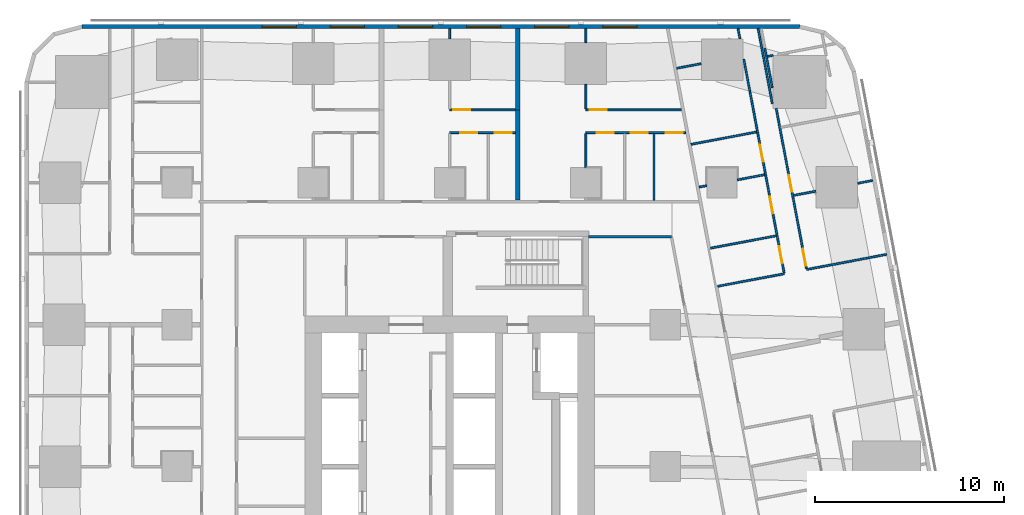
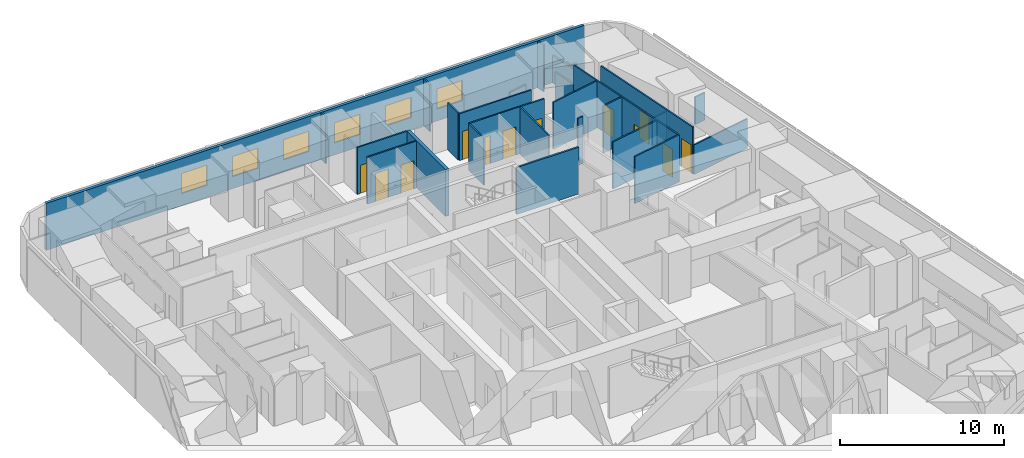
# One storey, part 11 of 16: 29 walls, 12 doors, 6 windows, 18 openings.
"""IFC4 building model written with IfcOpenShell, lengths in metres."""

import ifcopenshell
import ifcopenshell.guid

model = None  # the IFC model being written
_history = None  # IfcOwnerHistory: only IFC2X3 demands one
_inside = {}  # id of a spatial element -> (the spatial element, [elements in it])
_under = {}  # id of a project, library or spatial element -> (it, [spatial elements below it])
_declared = {}  # id of a project -> (the project, [libraries it declares])
_typed = {}  # id of a type object -> (the type object, [elements of that type])
_made_of = {}  # id of a material, layer set ... -> (it, [elements and type objects made of it])


def new_model(schema):
    """Start an empty IFC model of exactly this schema.

    Asked for "IFC4X3", IfcOpenShell would pick the latest addendum, in which some entities
    have other attributes; the version numbers below select the first issue.
    IFC2X3 requires an IfcOwnerHistory on every rooted entity: one is made here for all.
    """
    global model, _history
    if schema == "IFC4X3":
        model = ifcopenshell.file(schema_version=(4, 3, 0, 0))
    else:
        model = ifcopenshell.file(schema=schema)
    _inside.clear()
    _under.clear()
    _declared.clear()
    _typed.clear()
    _made_of.clear()
    _history = None
    if model.schema == "IFC2X3":
        org = make("IfcOrganization", Name="unknown")
        user = make(
            "IfcPersonAndOrganization",
            ThePerson=make("IfcPerson", FamilyName="unknown"),
            TheOrganization=org,
        )
        app = make(
            "IfcApplication",
            ApplicationDeveloper=org,
            Version="unknown",
            ApplicationFullName="unknown",
            ApplicationIdentifier="unknown",
        )
        _history = make(
            "IfcOwnerHistory",
            OwningUser=user,
            OwningApplication=app,
            ChangeAction="ADDED",
            CreationDate=0,
        )
    return model


def make(cls, **values):
    """One entity of the class cls with the attributes given. An attribute that is None is left unset."""
    return model.create_entity(
        cls, **{name: value for name, value in values.items() if value is not None}
    )


def rooted(cls, **values):
    """An entity with a GlobalId (a new one), such as an element, a storey or a relation."""
    return make(cls, GlobalId=ifcopenshell.guid.new(), OwnerHistory=_history, **values)


def si_unit(unit_type, name, prefix=None):
    """IfcSIUnit, for example si_unit("LENGTHUNIT", "METRE", prefix="MILLI")."""
    return make("IfcSIUnit", UnitType=unit_type, Prefix=prefix, Name=name)


def assignment(units):
    """IfcUnitAssignment: the units of a project."""
    return None if units is None else make("IfcUnitAssignment", Units=units)


def point(xyz):
    """IfcCartesianPoint."""
    return None if xyz is None else make("IfcCartesianPoint", Coordinates=xyz)


def direction(xyz):
    """IfcDirection."""
    return None if xyz is None else make("IfcDirection", DirectionRatios=xyz)


def frame(location, z_axis=None, x_axis=None):
    """IfcAxis2Placement3D, a coordinate frame: its origin and axes. An axis left out is left unset."""
    return make(
        "IfcAxis2Placement3D",
        Location=point(location),
        Axis=direction(z_axis),
        RefDirection=direction(x_axis),
    )


def frame_2d(location, x_axis=None):
    """IfcAxis2Placement2D, a coordinate frame in the plane: its origin and x axis."""
    return make(
        "IfcAxis2Placement2D", Location=point(location), RefDirection=direction(x_axis)
    )


def origin():
    """The frame at (0, 0, 0) with its axes left unset."""
    return frame((0.0, 0.0, 0.0))


def place(relative_to, where):
    """IfcLocalPlacement: puts the frame where relative to a parent placement (None: the world)."""
    return make(
        "IfcLocalPlacement", PlacementRelTo=relative_to, RelativePlacement=where
    )


def context(
    kind, dimensions, precision=None, world=None, true_north=None, identifier=None
):
    """IfcGeometricRepresentationContext, for example the 3D "Model" context."""
    return make(
        "IfcGeometricRepresentationContext",
        ContextIdentifier=identifier,
        ContextType=kind,
        CoordinateSpaceDimension=dimensions,
        Precision=precision,
        WorldCoordinateSystem=world,
        TrueNorth=true_north,
    )


def subcontext(parent, identifier, kind, view, scale=None):
    """IfcGeometricRepresentationSubContext, for example "Body" below "Model"."""
    return make(
        "IfcGeometricRepresentationSubContext",
        ContextIdentifier=identifier,
        ContextType=kind,
        ParentContext=parent,
        TargetScale=scale,
        TargetView=view,
    )


def project(units=None, contexts=None):
    """IfcProject with its units and contexts."""
    return rooted(
        "IfcProject",
        Name="project",
        RepresentationContexts=contexts,
        UnitsInContext=assignment(units),
    )


def spatial(cls, under=None, at=None, **own):
    """A site, building, storey or space (cls), placed at a placement, below another one or the project."""
    s = rooted(cls, ObjectPlacement=at, **own)
    if under is not None:
        _under.setdefault(under.id(), (under, []))[1].append(s)
    return s


def profile(cls, at=None, kind="AREA", **sizes):
    """A parametric profile (cls). Its sizes go by their IFC names, for example OverallWidth=200.0."""
    return make(cls, ProfileType=kind, Position=at, **sizes)


def rectangle(**sizes):
    """IfcRectangleProfileDef."""
    return profile("IfcRectangleProfileDef", **sizes)


def extrude(swept, where, along, depth):
    """IfcExtrudedAreaSolid: the profile swept, set in the frame where, extruded along a direction by depth."""
    return make(
        "IfcExtrudedAreaSolid",
        SweptArea=swept,
        Position=where,
        ExtrudedDirection=direction(along),
        Depth=depth,
    )


def shape(context_of_items, identifier, shape_type, items):
    """IfcShapeRepresentation: the items that make up one representation, for example the "Body"."""
    return make(
        "IfcShapeRepresentation",
        ContextOfItems=context_of_items,
        RepresentationIdentifier=identifier,
        RepresentationType=shape_type,
        Items=items,
    )


def material(Name=None, Category=None):
    """IfcMaterial."""
    return make("IfcMaterial", Name=Name, Category=Category)


def layer(
    of_material, thickness, ventilated=None, Name=None, Category=None, Priority=None
):
    """IfcMaterialLayer: one layer of a wall or slab, of a material (None: an air gap)."""
    return make(
        "IfcMaterialLayer",
        Material=of_material,
        LayerThickness=thickness,
        IsVentilated=ventilated,
        Name=Name,
        Category=Category,
        Priority=Priority,
    )


def layer_set(layers, Name=None):
    """IfcMaterialLayerSet."""
    return make("IfcMaterialLayerSet", MaterialLayers=layers, LayerSetName=Name)


def made_of(thing, what):
    """Note that an element or type object is made of a material, layer set ...; save() writes the relation."""
    if what is not None:
        _made_of.setdefault(what.id(), (what, []))[1].append(thing)
    return thing


def type_object(cls, material=None, **own):
    """A type object (cls), such as IfcWallType, which elements share."""
    return made_of(rooted(cls, **own), material)


def element(
    cls,
    number,
    at=None,
    inside=None,
    cuts=None,
    type_object=None,
    material=None,
    context=None,
    identifier="Body",
    shape_type=None,
    held_by="IfcProductDefinitionShape",
    body=None,
    shapes=None,
    **own,
):
    """One element of the class cls, such as IfcWall. Its Tag is "e" and its number.

    at: its placement. inside: the storey or other place that contains it. cuts: it is an
    opening in that element (IfcRelVoidsElement). A single representation is given by context,
    identifier, shape_type and body (its items); several are given by shapes. held_by: the class
    of the entity that holds the representations. save() writes the other relations.
    """
    e = rooted(cls, Tag="e%d" % number, ObjectPlacement=at, **own)
    if body is not None:
        shapes = [shape(context, identifier, shape_type, body)]
    if shapes is not None:
        e.Representation = make(held_by, Representations=shapes)
    if inside is not None:
        _inside.setdefault(inside.id(), (inside, []))[1].append(e)
    if cuts is not None:
        rooted(
            "IfcRelVoidsElement", RelatingBuildingElement=cuts, RelatedOpeningElement=e
        )
    if type_object is not None:
        _typed.setdefault(type_object.id(), (type_object, []))[1].append(e)
    return made_of(e, material)


def fill(opening, filler):
    """IfcRelFillsElement: the door or window that sits in an opening."""
    return rooted(
        "IfcRelFillsElement",
        RelatingOpeningElement=opening,
        RelatedBuildingElement=filler,
    )


def aggregate(whole, parts):
    """IfcRelAggregates: a whole, such as a stair, and the parts it consists of."""
    return rooted("IfcRelAggregates", RelatingObject=whole, RelatedObjects=parts)


def save(model, path):
    """Write the relations noted so far, then the file.

    IfcRelAggregates (storeys below a building ...), IfcRelContainedInSpatialStructure (elements
    in a storey), IfcRelDefinesByType, IfcRelAssociatesMaterial and IfcRelDeclares: one each for
    every whole, place, type object, material and project.
    """
    for whole, parts in _under.values():
        aggregate(whole, parts)
    for where, things in _inside.values():
        rooted(
            "IfcRelContainedInSpatialStructure",
            RelatedElements=things,
            RelatingStructure=where,
        )
    for kind, things in _typed.values():
        rooted("IfcRelDefinesByType", RelatedObjects=things, RelatingType=kind)
    for what, things in _made_of.values():
        rooted("IfcRelAssociatesMaterial", RelatedObjects=things, RelatingMaterial=what)
    for by, libraries in _declared.values():
        rooted("IfcRelDeclares", RelatingContext=by, RelatedDefinitions=libraries)
    model.write(path)


model = new_model("IFC4")

# Units and contexts
model_context = context("Model", 3, precision=1e-05, world=origin(), true_north=direction((0.0, 1.0)))
body_context = subcontext(model_context, "Body", "Model", "MODEL_VIEW")
ifc_project = project(units=[si_unit("LENGTHUNIT", "METRE"), si_unit("AREAUNIT", "SQUARE_METRE"), si_unit("VOLUMEUNIT", "CUBIC_METRE"), si_unit("PLANEANGLEUNIT", "RADIAN"), si_unit("MASSUNIT", "GRAM", prefix="KILO")], contexts=[model_context])

# Site, building, storey
site_placement = place(None, origin())
site = spatial("IfcSite", under=ifc_project, at=site_placement, CompositionType="ELEMENT")
building_placement = place(site_placement, origin())
building = spatial("IfcBuilding", under=site, at=building_placement, Name="Sheger Commons Tower", CompositionType="ELEMENT")
storey_placement = place(building_placement, frame((0.0, 0.0, 96.64990234375)))
storey = spatial("IfcBuildingStorey", under=building, at=storey_placement, Name="L24", CompositionType="ELEMENT", Elevation=96.64990234375)

# Walls
ifc_material_1 = material(Name="Dense concrete block masonry, plastered both sides (separating wall between flats)", Category="masonry")
ifc_layer_1 = layer(ifc_material_1, 0.25)
ifc_layer_set_1 = layer_set([ifc_layer_1], Name="DEMISING WALL 250")
wall_type_1 = type_object("IfcWallType", Name="DEMISING WALL 250", PredefinedType="SOLIDWALL", material=ifc_layer_set_1)
wall_1_placement = place(storey_placement, frame((25.199951171875, 41.35009765625, 0.0), z_axis=(0.0, 0.0, 1.0), x_axis=(0.0, 1.0, 0.0)))
element("IfcWall", 1, at=wall_1_placement, inside=storey, type_object=wall_type_1, Name="Demising wall L24", PredefinedType="SOLIDWALL", context=body_context, shape_type="SweptSolid", body=[
    extrude(rectangle(XDim=4.2998046875, YDim=0.25, at=frame_2d((2.14990234375, 0.0))), origin(), (0.0, 0.0, 1.0), 2.2001953125),
])
wall_2_placement = place(storey_placement, frame((25.199951171875, 36.574951171875, 0.0), z_axis=(0.0, 0.0, 1.0), x_axis=(0.0, 1.0, 0.0)))
element("IfcWall", 2, at=wall_2_placement, inside=storey, type_object=wall_type_1, Name="Demising wall L24", PredefinedType="SOLIDWALL", context=body_context, shape_type="SweptSolid", body=[
    extrude(rectangle(XDim=4.775146484375, YDim=0.25, at=frame_2d((2.3876953125, 0.0))), origin(), (0.0, 0.0, 1.0), 3.5),
])

# Wall, openings, windows
ifc_material_2 = material(Name="Rendered concrete block masonry, dark grey", Category="masonry")
ifc_layer_2 = layer(ifc_material_2, 0.199951171875)
ifc_layer_set_2 = layer_set([ifc_layer_2], Name="FACADE WALL 200")
wall_type_2 = type_object("IfcWallType", Name="FACADE WALL 200", PredefinedType="SOLIDWALL", material=ifc_layer_set_2)
wall_3_placement = place(storey_placement, frame((40.10595703125, 45.75, 0.0), z_axis=(0.0, 0.0, 1.0), x_axis=(-1.0, 0.0, 0.0)))
wall_3 = element("IfcWall", 3, at=wall_3_placement, inside=storey, type_object=wall_type_2, Name="Facade wall L24", PredefinedType="SOLIDWALL", context=body_context, shape_type="SweptSolid", body=[
    extrude(rectangle(XDim=37.94287109375, YDim=0.199951171875, at=frame_2d((18.971435546875, 0.0))), origin(), (0.0, 0.0, 1.0), 3.5),
])
opening_1_placement = place(wall_3_placement, frame((8.60595703125, 0.0, 0.89990234375)))
opening_1 = element("IfcOpeningElement", 4, at=opening_1_placement, cuts=wall_3, Name="Opening W2", PredefinedType="OPENING", context=body_context, shape_type="SweptSolid", body=[
    extrude(rectangle(XDim=1.800048828125, YDim=1.5, at=frame_2d((0.89990234375, 0.75))), frame((0.0, 0.10986328125, 0.0), z_axis=(0.0, -1.0, 0.0), x_axis=(1.0, 0.0, 0.0)), (0.0, 0.0, 1.0), 0.219970703125),
])
opening_2_placement = place(wall_3_placement, frame((12.2060546875, 0.0, 0.89990234375)))
opening_2 = element("IfcOpeningElement", 5, at=opening_2_placement, cuts=wall_3, Name="Opening W2", PredefinedType="OPENING", context=body_context, shape_type="SweptSolid", body=[
    extrude(rectangle(XDim=1.800048828125, YDim=1.5, at=frame_2d((0.89990234375, 0.75))), frame((0.0, 0.10986328125, 0.0), z_axis=(0.0, -1.0, 0.0), x_axis=(1.0, 0.0, 0.0)), (0.0, 0.0, 1.0), 0.219970703125),
])
opening_3_placement = place(wall_3_placement, frame((15.805908203125, 0.0, 0.89990234375)))
opening_3 = element("IfcOpeningElement", 6, at=opening_3_placement, cuts=wall_3, Name="Opening W2", PredefinedType="OPENING", context=body_context, shape_type="SweptSolid", body=[
    extrude(rectangle(XDim=1.800048828125, YDim=1.5, at=frame_2d((0.89990234375, 0.75))), frame((0.0, 0.10986328125, 0.0), z_axis=(0.0, -1.0, 0.0), x_axis=(1.0, 0.0, 0.0)), (0.0, 0.0, 1.0), 0.219970703125),
])
opening_4_placement = place(wall_3_placement, frame((19.406005859375, 0.0, 0.89990234375)))
opening_4 = element("IfcOpeningElement", 7, at=opening_4_placement, cuts=wall_3, Name="Opening W2", PredefinedType="OPENING", context=body_context, shape_type="SweptSolid", body=[
    extrude(rectangle(XDim=1.800048828125, YDim=1.5, at=frame_2d((0.89990234375, 0.75))), frame((0.0, 0.10986328125, 0.0), z_axis=(0.0, -1.0, 0.0), x_axis=(1.0, 0.0, 0.0)), (0.0, 0.0, 1.0), 0.219970703125),
])
opening_5_placement = place(wall_3_placement, frame((23.006103515625, 0.0, 0.89990234375)))
opening_5 = element("IfcOpeningElement", 8, at=opening_5_placement, cuts=wall_3, Name="Opening W2", PredefinedType="OPENING", context=body_context, shape_type="SweptSolid", body=[
    extrude(rectangle(XDim=1.800048828125, YDim=1.5, at=frame_2d((0.89990234375, 0.75))), frame((0.0, 0.10986328125, 0.0), z_axis=(0.0, -1.0, 0.0), x_axis=(1.0, 0.0, 0.0)), (0.0, 0.0, 1.0), 0.219970703125),
])
opening_6_placement = place(wall_3_placement, frame((26.60595703125, 0.0, 0.89990234375)))
opening_6 = element("IfcOpeningElement", 9, at=opening_6_placement, cuts=wall_3, Name="Opening W2", PredefinedType="OPENING", context=body_context, shape_type="SweptSolid", body=[
    extrude(rectangle(XDim=1.800048828125, YDim=1.5, at=frame_2d((0.89990234375, 0.75))), frame((0.0, 0.10986328125, 0.0), z_axis=(0.0, -1.0, 0.0), x_axis=(1.0, 0.0, 0.0)), (0.0, 0.0, 1.0), 0.219970703125),
])
ifc_material_3 = material(Name="Black aluminium frame, dark tinted double glazing", Category="aluminium")
window_type = type_object("IfcWindowType", Name="WINDOW W2 1800x1500", PartitioningType="SINGLE_PANEL", PredefinedType="WINDOW", material=ifc_material_3)
window_1_placement = place(opening_1_placement, origin())
window_1 = element("IfcWindow", 10, at=window_1_placement, inside=storey, type_object=window_type, Name="Window W2 1800X1500", OverallHeight=1.5, OverallWidth=1.800048828125, PartitioningType="SINGLE_PANEL", PredefinedType="WINDOW", context=body_context, shape_type="SweptSolid", body=[
    extrude(rectangle(XDim=1.800048828125, YDim=1.5, at=frame_2d((0.89990234375, 0.75))), frame((0.0, 0.030029296875, 0.0), z_axis=(0.0, -1.0, 0.0), x_axis=(1.0, 0.0, 0.0)), (0.0, 0.0, 1.0), 0.06005859375),
])
fill(opening_1, window_1)
window_2_placement = place(opening_2_placement, origin())
window_2 = element("IfcWindow", 11, at=window_2_placement, inside=storey, type_object=window_type, Name="Window W2 1800X1500", OverallHeight=1.5, OverallWidth=1.800048828125, PartitioningType="SINGLE_PANEL", PredefinedType="WINDOW", context=body_context, shape_type="SweptSolid", body=[
    extrude(rectangle(XDim=1.800048828125, YDim=1.5, at=frame_2d((0.89990234375, 0.75))), frame((0.0, 0.030029296875, 0.0), z_axis=(0.0, -1.0, 0.0), x_axis=(1.0, 0.0, 0.0)), (0.0, 0.0, 1.0), 0.06005859375),
])
fill(opening_2, window_2)
window_3_placement = place(opening_3_placement, origin())
window_3 = element("IfcWindow", 12, at=window_3_placement, inside=storey, type_object=window_type, Name="Window W2 1800X1500", OverallHeight=1.5, OverallWidth=1.800048828125, PartitioningType="SINGLE_PANEL", PredefinedType="WINDOW", context=body_context, shape_type="SweptSolid", body=[
    extrude(rectangle(XDim=1.800048828125, YDim=1.5, at=frame_2d((0.89990234375, 0.75))), frame((0.0, 0.030029296875, 0.0), z_axis=(0.0, -1.0, 0.0), x_axis=(1.0, 0.0, 0.0)), (0.0, 0.0, 1.0), 0.06005859375),
])
fill(opening_3, window_3)
window_4_placement = place(opening_4_placement, origin())
window_4 = element("IfcWindow", 13, at=window_4_placement, inside=storey, type_object=window_type, Name="Window W2 1800X1500", OverallHeight=1.5, OverallWidth=1.800048828125, PartitioningType="SINGLE_PANEL", PredefinedType="WINDOW", context=body_context, shape_type="SweptSolid", body=[
    extrude(rectangle(XDim=1.800048828125, YDim=1.5, at=frame_2d((0.89990234375, 0.75))), frame((0.0, 0.030029296875, 0.0), z_axis=(0.0, -1.0, 0.0), x_axis=(1.0, 0.0, 0.0)), (0.0, 0.0, 1.0), 0.06005859375),
])
fill(opening_4, window_4)
window_5_placement = place(opening_5_placement, origin())
window_5 = element("IfcWindow", 14, at=window_5_placement, inside=storey, type_object=window_type, Name="Window W2 1800X1500", OverallHeight=1.5, OverallWidth=1.800048828125, PartitioningType="SINGLE_PANEL", PredefinedType="WINDOW", context=body_context, shape_type="SweptSolid", body=[
    extrude(rectangle(XDim=1.800048828125, YDim=1.5, at=frame_2d((0.89990234375, 0.75))), frame((0.0, 0.030029296875, 0.0), z_axis=(0.0, -1.0, 0.0), x_axis=(1.0, 0.0, 0.0)), (0.0, 0.0, 1.0), 0.06005859375),
])
fill(opening_5, window_5)
window_6_placement = place(opening_6_placement, origin())
window_6 = element("IfcWindow", 15, at=window_6_placement, inside=storey, type_object=window_type, Name="Window W2 1800X1500", OverallHeight=1.5, OverallWidth=1.800048828125, PartitioningType="SINGLE_PANEL", PredefinedType="WINDOW", context=body_context, shape_type="SweptSolid", body=[
    extrude(rectangle(XDim=1.800048828125, YDim=1.5, at=frame_2d((0.89990234375, 0.75))), frame((0.0, 0.030029296875, 0.0), z_axis=(0.0, -1.0, 0.0), x_axis=(1.0, 0.0, 0.0)), (0.0, 0.0, 1.0), 0.06005859375),
])
fill(opening_6, window_6)

# Walls
ifc_material_4 = material(Name="Gypsum board on steel studs", Category="steel")
ifc_layer_3 = layer(ifc_material_4, 0.10009765625)
ifc_layer_set_3 = layer_set([ifc_layer_3], Name="PARTITION 100")
wall_type_3 = type_object("IfcWallType", Name="PARTITION 100", PredefinedType="PARTITIONING", material=ifc_layer_set_3)
wall_4_placement = place(storey_placement, frame((38.654052734375, 41.68603515625, 0.0), z_axis=(0.0, 0.0, 1.0), x_axis=(-0.185676896978, 0.982610853761, 0.0)))
element("IfcWall", 16, at=wall_4_placement, inside=storey, type_object=wall_type_3, Name="Partition L24", PredefinedType="PARTITIONING", context=body_context, shape_type="SweptSolid", body=[
    extrude(rectangle(XDim=4.033935546875, YDim=0.10009765625, at=frame_2d((2.01708984375, 0.0))), origin(), (0.0, 0.0, 1.0), 2.050048828125),
])
wall_5_placement = place(storey_placement, frame((38.256103515625, 44.6279296875, 0.0), z_axis=(0.0, 0.0, 1.0), x_axis=(0.185757524649, -0.982595614704, 0.0)))
element("IfcWall", 17, at=wall_5_placement, inside=storey, type_object=wall_type_3, Name="Partition L24", PredefinedType="PARTITIONING", context=body_context, shape_type="SweptSolid", body=[
    extrude(rectangle(XDim=2.136962890625, YDim=0.10009765625, at=frame_2d((1.068359375, 0.0))), origin(), (0.0, 0.0, 1.0), 2.050048828125),
])

# Wall, openings, doors
wall_6_placement = place(storey_placement, frame((38.862060546875, 41.419921875, 0.0), z_axis=(0.0, 0.0, 1.0), x_axis=(0.185574815416, -0.982630137887, 0.0)))
wall_6 = element("IfcWall", 18, at=wall_6_placement, inside=storey, type_object=wall_type_3, Name="Partition L24", PredefinedType="PARTITIONING", context=body_context, shape_type="SweptSolid", body=[
    extrude(rectangle(XDim=8.605224609375, YDim=0.10009765625, at=frame_2d((4.302734375, 0.0))), origin(), (0.0, 0.0, 1.0), 3.5),
])
opening_7_placement = place(wall_6_placement, frame((7.554931640625, 0.0, 0.0)))
opening_7 = element("IfcOpeningElement", 19, at=opening_7_placement, cuts=wall_6, Name="Opening D2", PredefinedType="OPENING", context=body_context, shape_type="SweptSolid", body=[
    extrude(rectangle(XDim=0.89990234375, YDim=2.10009765625, at=frame_2d((0.449951171875, 1.050048828125))), frame((0.0, 0.06005859375, 0.0), z_axis=(0.0, -1.0, 0.0), x_axis=(1.0, 0.0, 0.0)), (0.0, 0.0, 1.0), 0.1201171875),
])
opening_8_placement = place(wall_6_placement, frame((3.5791015625, 0.0, 0.0)))
opening_8 = element("IfcOpeningElement", 20, at=opening_8_placement, cuts=wall_6, Name="Opening D2", PredefinedType="OPENING", context=body_context, shape_type="SweptSolid", body=[
    extrude(rectangle(XDim=0.89990234375, YDim=2.10009765625, at=frame_2d((0.449951171875, 1.050048828125))), frame((0.0, 0.06005859375, 0.0), z_axis=(0.0, -1.0, 0.0), x_axis=(1.0, 0.0, 0.0)), (0.0, 0.0, 1.0), 0.1201171875),
])
ifc_material_5 = material(Name="Timber door set", Category="wood")
door_type = type_object("IfcDoorType", Name="INTERNAL DOOR 900x2100", OperationType="NOTDEFINED", PredefinedType="DOOR", material=ifc_material_5)
door_1_placement = place(opening_7_placement, origin())
door_1 = element("IfcDoor", 21, at=door_1_placement, inside=storey, type_object=door_type, Name="Main bedroom door", OperationType="SINGLE_SWING_RIGHT", OverallHeight=2.10009765625, OverallWidth=0.89990234375, PredefinedType="DOOR", context=body_context, shape_type="SweptSolid", body=[
    extrude(rectangle(XDim=0.89990234375, YDim=2.10009765625, at=frame_2d((0.449951171875, 1.050048828125))), frame((0.0, 0.02490234375, 0.0), z_axis=(0.0, -1.0, 0.0), x_axis=(1.0, 0.0, 0.0)), (0.0, 0.0, 1.0), 0.050048828125),
])
fill(opening_7, door_1)
door_2_placement = place(opening_8_placement, origin())
door_2 = element("IfcDoor", 22, at=door_2_placement, inside=storey, type_object=door_type, Name="Bedroom 2 door", OperationType="SINGLE_SWING_RIGHT", OverallHeight=2.10009765625, OverallWidth=0.89990234375, PredefinedType="DOOR", context=body_context, shape_type="SweptSolid", body=[
    extrude(rectangle(XDim=0.89990234375, YDim=2.10009765625, at=frame_2d((0.449951171875, 1.050048828125))), frame((0.0, 0.02490234375, 0.0), z_axis=(0.0, -1.0, 0.0), x_axis=(1.0, 0.0, 0.0)), (0.0, 0.0, 1.0), 0.050048828125),
])
fill(opening_8, door_2)

# Walls
wall_7_placement = place(storey_placement, frame((36.842041015625, 45.64990234375, 0.0), z_axis=(0.0, 0.0, 1.0), x_axis=(0.185764109712, -0.98259436979, 0.0)))
element("IfcWall", 23, at=wall_7_placement, inside=storey, type_object=wall_type_3, Name="Partition L24", PredefinedType="PARTITIONING", context=body_context, shape_type="SweptSolid", body=[
    extrude(rectangle(XDim=0.54931640625, YDim=0.10009765625, at=frame_2d((0.274658203125, 0.0))), origin(), (0.0, 0.0, 1.0), 3.5),
])
wall_8_placement = place(storey_placement, frame((37.14892578125, 44.02197265625, 0.0), z_axis=(0.0, 0.0, 1.0), x_axis=(0.185844162065, -0.982579232137, 0.0)))
element("IfcWall", 24, at=wall_8_placement, inside=storey, type_object=wall_type_3, Name="Partition L24", PredefinedType="PARTITIONING", context=body_context, shape_type="SweptSolid", body=[
    extrude(rectangle(XDim=1.7431640625, YDim=0.10009765625, at=frame_2d((0.87158203125, 0.0))), origin(), (0.0, 0.0, 1.0), 2.050048828125),
])

# Wall, openings, doors
wall_9_placement = place(storey_placement, frame((37.472900390625, 42.30908203125, 0.0), z_axis=(0.0, 0.0, 1.0), x_axis=(0.185491912953, -0.982645790827, 0.0)))
wall_9 = element("IfcWall", 25, at=wall_9_placement, inside=storey, type_object=wall_type_3, Name="Partition L24", PredefinedType="PARTITIONING", context=body_context, shape_type="SweptSolid", body=[
    extrude(rectangle(XDim=9.737060546875, YDim=0.10009765625, at=frame_2d((4.86865234375, 0.0))), origin(), (0.0, 0.0, 1.0), 3.5),
])
opening_9_placement = place(wall_9_placement, frame((8.31201171875, 0.0, 0.0)))
opening_9 = element("IfcOpeningElement", 26, at=opening_9_placement, cuts=wall_9, Name="Opening D2", PredefinedType="OPENING", context=body_context, shape_type="SweptSolid", body=[
    extrude(rectangle(XDim=0.89990234375, YDim=2.10009765625, at=frame_2d((0.449951171875, 1.050048828125))), frame((0.0, 0.06005859375, 0.0), z_axis=(0.0, -1.0, 0.0), x_axis=(1.0, 0.0, 0.0)), (0.0, 0.0, 1.0), 0.1201171875),
])
opening_10_placement = place(wall_9_placement, frame((2.85302734375, 0.0, 0.0)))
opening_10 = element("IfcOpeningElement", 27, at=opening_10_placement, cuts=wall_9, Name="Opening D2", PredefinedType="OPENING", context=body_context, shape_type="SweptSolid", body=[
    extrude(rectangle(XDim=0.89990234375, YDim=2.10009765625, at=frame_2d((0.449951171875, 1.050048828125))), frame((0.0, 0.06005859375, 0.0), z_axis=(0.0, -1.0, 0.0), x_axis=(1.0, 0.0, 0.0)), (0.0, 0.0, 1.0), 0.1201171875),
])
opening_11_placement = place(wall_9_placement, frame((5.64404296875, 0.0, 0.0)))
opening_11 = element("IfcOpeningElement", 28, at=opening_11_placement, cuts=wall_9, Name="Opening D2", PredefinedType="OPENING", context=body_context, shape_type="SweptSolid", body=[
    extrude(rectangle(XDim=0.89990234375, YDim=2.10009765625, at=frame_2d((0.449951171875, 1.050048828125))), frame((0.0, 0.06005859375, 0.0), z_axis=(0.0, -1.0, 0.0), x_axis=(1.0, 0.0, 0.0)), (0.0, 0.0, 1.0), 0.1201171875),
])
door_3_placement = place(opening_9_placement, origin())
door_3 = element("IfcDoor", 29, at=door_3_placement, inside=storey, type_object=door_type, Name="Bathroom door", OperationType="SINGLE_SWING_LEFT", OverallHeight=2.10009765625, OverallWidth=0.89990234375, PredefinedType="DOOR", context=body_context, shape_type="SweptSolid", body=[
    extrude(rectangle(XDim=0.89990234375, YDim=2.10009765625, at=frame_2d((0.449951171875, 1.050048828125))), frame((0.0, 0.02490234375, 0.0), z_axis=(0.0, -1.0, 0.0), x_axis=(1.0, 0.0, 0.0)), (0.0, 0.0, 1.0), 0.050048828125),
])
fill(opening_9, door_3)
door_4_placement = place(opening_10_placement, origin())
door_4 = element("IfcDoor", 30, at=door_4_placement, inside=storey, type_object=door_type, Name="Laundry room door", OperationType="SINGLE_SWING_RIGHT", OverallHeight=2.10009765625, OverallWidth=0.89990234375, PredefinedType="DOOR", context=body_context, shape_type="SweptSolid", body=[
    extrude(rectangle(XDim=0.89990234375, YDim=2.10009765625, at=frame_2d((0.449951171875, 1.050048828125))), frame((0.0, 0.02490234375, 0.0), z_axis=(0.0, -1.0, 0.0), x_axis=(1.0, 0.0, 0.0)), (0.0, 0.0, 1.0), 0.050048828125),
])
fill(opening_10, door_4)
door_5_placement = place(opening_11_placement, origin())
door_5 = element("IfcDoor", 31, at=door_5_placement, inside=storey, type_object=door_type, Name="Store door", OperationType="SINGLE_SWING_RIGHT", OverallHeight=2.10009765625, OverallWidth=0.89990234375, PredefinedType="DOOR", context=body_context, shape_type="SweptSolid", body=[
    extrude(rectangle(XDim=0.89990234375, YDim=2.10009765625, at=frame_2d((0.449951171875, 1.050048828125))), frame((0.0, 0.02490234375, 0.0), z_axis=(0.0, -1.0, 0.0), x_axis=(1.0, 0.0, 0.0)), (0.0, 0.0, 1.0), 0.050048828125),
])
fill(opening_11, door_5)

# Walls
wall_10_placement = place(storey_placement, frame((38.69189453125, 44.22998046875, 0.0), z_axis=(0.0, 0.0, 1.0), x_axis=(-0.982944840311, -0.183900627803, 0.0)))
element("IfcWall", 32, at=wall_10_placement, inside=storey, type_object=wall_type_3, Name="Partition L24", PredefinedType="PARTITIONING", context=body_context, shape_type="SweptSolid", body=[
    extrude(rectangle(XDim=0.303955078125, YDim=0.10009765625, at=frame_2d((0.15185546875, 0.0))), origin(), (0.0, 0.0, 1.0), 2.050048828125),
])
wall_11_placement = place(storey_placement, frame((43.955078125, 37.6201171875, 0.0), z_axis=(0.0, 0.0, 1.0), x_axis=(-0.98247004097, -0.186420542316, 0.0)))
element("IfcWall", 33, at=wall_11_placement, inside=storey, type_object=wall_type_3, Name="Partition L24", PredefinedType="PARTITIONING", context=body_context, shape_type="SweptSolid", body=[
    extrude(rectangle(XDim=0.794921875, YDim=0.10009765625, at=frame_2d((0.3974609375, 0.0))), origin(), (0.0, 0.0, 1.0), 2.050048828125),
])
wall_12_placement = place(storey_placement, frame((40.9541015625, 37.052978515625, 0.0), z_axis=(0.0, 0.0, 1.0), x_axis=(-0.982628652346, -0.185582681276, 0.0)))
element("IfcWall", 34, at=wall_12_placement, inside=storey, type_object=wall_type_3, Name="Partition L24", PredefinedType="PARTITIONING", context=body_context, shape_type="SweptSolid", body=[
    extrude(rectangle(XDim=1.19580078125, YDim=0.10009765625, at=frame_2d((0.597900390625, 0.0))), origin(), (0.0, 0.0, 1.0), 2.050048828125),
])
wall_13_placement = place(storey_placement, frame((44.693115234375, 33.712890625, 0.0), z_axis=(0.0, 0.0, 1.0), x_axis=(-0.982633535512, -0.185556823879, 0.0)))
element("IfcWall", 35, at=wall_13_placement, inside=storey, type_object=wall_type_3, Name="Partition L24", PredefinedType="PARTITIONING", context=body_context, shape_type="SweptSolid", body=[
    extrude(rectangle(XDim=4.2998046875, YDim=0.10009765625, at=frame_2d((2.14990234375, 0.0))), origin(), (0.0, 0.0, 1.0), 2.2001953125),
])
wall_14_placement = place(storey_placement, frame((34.889892578125, 43.7900390625, 0.0), z_axis=(0.0, 0.0, 1.0), x_axis=(-0.982696831521, -0.185221319826, 0.0)))
element("IfcWall", 36, at=wall_14_placement, inside=storey, type_object=wall_type_3, Name="Partition L24", PredefinedType="PARTITIONING", context=body_context, shape_type="SweptSolid", body=[
    extrude(rectangle(XDim=1.3115234375, YDim=0.10009765625, at=frame_2d((0.65576171875, 0.0))), origin(), (0.0, 0.0, 1.0), 2.050048828125),
])
wall_15_placement = place(storey_placement, frame((37.822998046875, 40.181884765625, 0.0), z_axis=(0.0, 0.0, 1.0), x_axis=(-0.98263926043, -0.185526504472, 0.0)))
element("IfcWall", 37, at=wall_15_placement, inside=storey, type_object=wall_type_3, Name="Partition L24", PredefinedType="PARTITIONING", context=body_context, shape_type="SweptSolid", body=[
    extrude(rectangle(XDim=3.524169921875, YDim=0.10009765625, at=frame_2d((1.76220703125, 0.0))), origin(), (0.0, 0.0, 1.0), 3.5),
])
wall_16_placement = place(storey_placement, frame((38.25, 37.925048828125, 0.0), z_axis=(0.0, 0.0, 1.0), x_axis=(-0.982626127294, -0.185596050493, 0.0)))
element("IfcWall", 38, at=wall_16_placement, inside=storey, type_object=wall_type_3, Name="Partition L24", PredefinedType="PARTITIONING", context=body_context, shape_type="SweptSolid", body=[
    extrude(rectangle(XDim=1.46533203125, YDim=0.10009765625, at=frame_2d((0.732666015625, 0.0))), origin(), (0.0, 0.0, 1.0), 3.5),
])
wall_17_placement = place(storey_placement, frame((35.18994140625, 37.346923828125, 0.0), z_axis=(0.0, 0.0, 1.0), x_axis=(-0.982798158448, -0.184682916784, 0.0)))
element("IfcWall", 39, at=wall_17_placement, inside=storey, type_object=wall_type_3, Name="Partition L24", PredefinedType="PARTITIONING", context=body_context, shape_type="SweptSolid", body=[
    extrude(rectangle(XDim=0.4111328125, YDim=0.10009765625, at=frame_2d((0.20556640625, 0.0))), origin(), (0.0, 0.0, 1.0), 3.5),
])
wall_18_placement = place(storey_placement, frame((39.2890625, 32.69189453125, 0.0), z_axis=(0.0, 0.0, 1.0), x_axis=(-0.982662827464, -0.185401638399, 0.0)))
element("IfcWall", 40, at=wall_18_placement, inside=storey, type_object=wall_type_3, Name="Partition L24", PredefinedType="PARTITIONING", context=body_context, shape_type="SweptSolid", body=[
    extrude(rectangle(XDim=3.5751953125, YDim=0.10009765625, at=frame_2d((1.78759765625, 0.0))), origin(), (0.0, 0.0, 1.0), 3.5),
])
wall_19_placement = place(storey_placement, frame((38.85888671875, 34.697021484375, 0.0), z_axis=(0.0, 0.0, 1.0), x_axis=(-0.982626628545, -0.185593396635, 0.0)))
element("IfcWall", 41, at=wall_19_placement, inside=storey, type_object=wall_type_3, Name="Partition L24", PredefinedType="PARTITIONING", context=body_context, shape_type="SweptSolid", body=[
    extrude(rectangle(XDim=3.524169921875, YDim=0.10009765625, at=frame_2d((1.76220703125, 0.0))), origin(), (0.0, 0.0, 1.0), 3.5),
])

# Wall, opening, door
wall_20_placement = place(storey_placement, frame((21.60009765625, 41.35009765625, 0.0), z_axis=(0.0, 0.0, 1.0), x_axis=(1.0, 0.0, 0.0)))
wall_20 = element("IfcWall", 42, at=wall_20_placement, inside=storey, type_object=wall_type_3, Name="Partition L24", PredefinedType="PARTITIONING", context=body_context, shape_type="SweptSolid", body=[
    extrude(rectangle(XDim=3.474853515625, YDim=0.10009765625, at=frame_2d((1.7373046875, 0.0))), origin(), (0.0, 0.0, 1.0), 3.5),
])
opening_12_placement = place(wall_20_placement, frame((0.199951171875, 0.0, 0.0)))
opening_12 = element("IfcOpeningElement", 43, at=opening_12_placement, cuts=wall_20, Name="Opening D2", PredefinedType="OPENING", context=body_context, shape_type="SweptSolid", body=[
    extrude(rectangle(XDim=0.89990234375, YDim=2.10009765625, at=frame_2d((0.449951171875, 1.050048828125))), frame((0.0, 0.06005859375, 0.0), z_axis=(0.0, -1.0, 0.0), x_axis=(1.0, 0.0, 0.0)), (0.0, 0.0, 1.0), 0.1201171875),
])
door_6_placement = place(opening_12_placement, origin())
door_6 = element("IfcDoor", 44, at=door_6_placement, inside=storey, type_object=door_type, Name="Main bedroom door", OperationType="SINGLE_SWING_LEFT", OverallHeight=2.10009765625, OverallWidth=0.89990234375, PredefinedType="DOOR", context=body_context, shape_type="SweptSolid", body=[
    extrude(rectangle(XDim=0.89990234375, YDim=2.10009765625, at=frame_2d((0.449951171875, 1.050048828125))), frame((0.0, 0.02490234375, 0.0), z_axis=(0.0, -1.0, 0.0), x_axis=(1.0, 0.0, 0.0)), (0.0, 0.0, 1.0), 0.050048828125),
])
fill(opening_12, door_6)

# Wall, openings, doors
wall_21_placement = place(storey_placement, frame((21.60009765625, 40.14990234375, 0.0), z_axis=(0.0, 0.0, 1.0), x_axis=(1.0, 0.0, 0.0)))
wall_21 = element("IfcWall", 45, at=wall_21_placement, inside=storey, type_object=wall_type_3, Name="Partition L24", PredefinedType="PARTITIONING", context=body_context, shape_type="SweptSolid", body=[
    extrude(rectangle(XDim=3.474853515625, YDim=0.10009765625, at=frame_2d((1.7373046875, 0.0))), origin(), (0.0, 0.0, 1.0), 3.5),
])
opening_13_placement = place(wall_21_placement, frame((0.574951171875, 0.0, 0.0)))
opening_13 = element("IfcOpeningElement", 46, at=opening_13_placement, cuts=wall_21, Name="Opening D2", PredefinedType="OPENING", context=body_context, shape_type="SweptSolid", body=[
    extrude(rectangle(XDim=0.89990234375, YDim=2.10009765625, at=frame_2d((0.449951171875, 1.050048828125))), frame((0.0, 0.06005859375, 0.0), z_axis=(0.0, -1.0, 0.0), x_axis=(1.0, 0.0, 0.0)), (0.0, 0.0, 1.0), 0.1201171875),
])
opening_14_placement = place(wall_21_placement, frame((2.375, 0.0, 0.0)))
opening_14 = element("IfcOpeningElement", 47, at=opening_14_placement, cuts=wall_21, Name="Opening D2", PredefinedType="OPENING", context=body_context, shape_type="SweptSolid", body=[
    extrude(rectangle(XDim=0.89990234375, YDim=2.10009765625, at=frame_2d((0.449951171875, 1.050048828125))), frame((0.0, 0.06005859375, 0.0), z_axis=(0.0, -1.0, 0.0), x_axis=(1.0, 0.0, 0.0)), (0.0, 0.0, 1.0), 0.1201171875),
])
door_7_placement = place(opening_13_placement, origin())
door_7 = element("IfcDoor", 48, at=door_7_placement, inside=storey, type_object=door_type, Name="Bathroom door", OperationType="SINGLE_SWING_RIGHT", OverallHeight=2.10009765625, OverallWidth=0.89990234375, PredefinedType="DOOR", context=body_context, shape_type="SweptSolid", body=[
    extrude(rectangle(XDim=0.89990234375, YDim=2.10009765625, at=frame_2d((0.449951171875, 1.050048828125))), frame((0.0, 0.02490234375, 0.0), z_axis=(0.0, -1.0, 0.0), x_axis=(1.0, 0.0, 0.0)), (0.0, 0.0, 1.0), 0.050048828125),
])
fill(opening_13, door_7)
door_8_placement = place(opening_14_placement, origin())
door_8 = element("IfcDoor", 49, at=door_8_placement, inside=storey, type_object=door_type, Name="Store door", OperationType="SINGLE_SWING_LEFT", OverallHeight=2.10009765625, OverallWidth=0.89990234375, PredefinedType="DOOR", context=body_context, shape_type="SweptSolid", body=[
    extrude(rectangle(XDim=0.89990234375, YDim=2.10009765625, at=frame_2d((0.449951171875, 1.050048828125))), frame((0.0, 0.02490234375, 0.0), z_axis=(0.0, -1.0, 0.0), x_axis=(1.0, 0.0, 0.0)), (0.0, 0.0, 1.0), 0.050048828125),
])
fill(opening_14, door_8)

# Wall
wall_22_placement = place(storey_placement, frame((21.60009765625, 45.10107421875, 0.0), z_axis=(0.0, 0.0, 1.0), x_axis=(0.0, 1.0, 0.0)))
element("IfcWall", 50, at=wall_22_placement, inside=storey, type_object=wall_type_3, Name="Partition L24", PredefinedType="PARTITIONING", context=body_context, shape_type="SweptSolid", body=[
    extrude(rectangle(XDim=0.548828125, YDim=0.10009765625, at=frame_2d((0.2744140625, 0.0))), origin(), (0.0, 0.0, 1.0), 3.5),
])

# Wall, opening, door
wall_23_placement = place(storey_placement, frame((28.800048828125, 41.35009765625, 0.0), z_axis=(0.0, 0.0, 1.0), x_axis=(1.0, 0.0, 0.0)))
wall_23 = element("IfcWall", 51, at=wall_23_placement, inside=storey, type_object=wall_type_3, Name="Partition L24", PredefinedType="PARTITIONING", context=body_context, shape_type="SweptSolid", body=[
    extrude(rectangle(XDim=5.052978515625, YDim=0.10009765625, at=frame_2d((2.5263671875, 0.0))), origin(), (0.0, 0.0, 1.0), 3.5),
])
opening_15_placement = place(wall_23_placement, frame((0.199951171875, 0.0, 0.0)))
opening_15 = element("IfcOpeningElement", 52, at=opening_15_placement, cuts=wall_23, Name="Opening D2", PredefinedType="OPENING", context=body_context, shape_type="SweptSolid", body=[
    extrude(rectangle(XDim=0.89990234375, YDim=2.10009765625, at=frame_2d((0.449951171875, 1.050048828125))), frame((0.0, 0.06005859375, 0.0), z_axis=(0.0, -1.0, 0.0), x_axis=(1.0, 0.0, 0.0)), (0.0, 0.0, 1.0), 0.1201171875),
])
door_9_placement = place(opening_15_placement, origin())
door_9 = element("IfcDoor", 53, at=door_9_placement, inside=storey, type_object=door_type, Name="Main bedroom door", OperationType="SINGLE_SWING_RIGHT", OverallHeight=2.10009765625, OverallWidth=0.89990234375, PredefinedType="DOOR", context=body_context, shape_type="SweptSolid", body=[
    extrude(rectangle(XDim=0.89990234375, YDim=2.10009765625, at=frame_2d((0.449951171875, 1.050048828125))), frame((0.0, 0.02490234375, 0.0), z_axis=(0.0, -1.0, 0.0), x_axis=(1.0, 0.0, 0.0)), (0.0, 0.0, 1.0), 0.050048828125),
])
fill(opening_15, door_9)

# Wall, openings, doors
wall_24_placement = place(storey_placement, frame((28.800048828125, 40.14990234375, 0.0), z_axis=(0.0, 0.0, 1.0), x_axis=(1.0, 0.0, 0.0)))
wall_24 = element("IfcWall", 54, at=wall_24_placement, inside=storey, type_object=wall_type_3, Name="Partition L24", PredefinedType="PARTITIONING", context=body_context, shape_type="SweptSolid", body=[
    extrude(rectangle(XDim=5.280029296875, YDim=0.10009765625, at=frame_2d((2.64013671875, 0.0))), origin(), (0.0, 0.0, 1.0), 3.5),
])
opening_16_placement = place(wall_24_placement, frame((0.574951171875, 0.0, 0.0)))
opening_16 = element("IfcOpeningElement", 55, at=opening_16_placement, cuts=wall_24, Name="Opening D2", PredefinedType="OPENING", context=body_context, shape_type="SweptSolid", body=[
    extrude(rectangle(XDim=0.89990234375, YDim=2.10009765625, at=frame_2d((0.449951171875, 1.050048828125))), frame((0.0, 0.06005859375, 0.0), z_axis=(0.0, -1.0, 0.0), x_axis=(1.0, 0.0, 0.0)), (0.0, 0.0, 1.0), 0.1201171875),
])
opening_17_placement = place(wall_24_placement, frame((4.22998046875, 0.0, 0.0)))
opening_17 = element("IfcOpeningElement", 56, at=opening_17_placement, cuts=wall_24, Name="Opening D2", PredefinedType="OPENING", context=body_context, shape_type="SweptSolid", body=[
    extrude(rectangle(XDim=0.89990234375, YDim=2.10009765625, at=frame_2d((0.449951171875, 1.050048828125))), frame((0.0, 0.06005859375, 0.0), z_axis=(0.0, -1.0, 0.0), x_axis=(1.0, 0.0, 0.0)), (0.0, 0.0, 1.0), 0.1201171875),
])
opening_18_placement = place(wall_24_placement, frame((2.375, 0.0, 0.0)))
opening_18 = element("IfcOpeningElement", 57, at=opening_18_placement, cuts=wall_24, Name="Opening D2", PredefinedType="OPENING", context=body_context, shape_type="SweptSolid", body=[
    extrude(rectangle(XDim=0.89990234375, YDim=2.10009765625, at=frame_2d((0.449951171875, 1.050048828125))), frame((0.0, 0.06005859375, 0.0), z_axis=(0.0, -1.0, 0.0), x_axis=(1.0, 0.0, 0.0)), (0.0, 0.0, 1.0), 0.1201171875),
])
door_10_placement = place(opening_16_placement, origin())
door_10 = element("IfcDoor", 58, at=door_10_placement, inside=storey, type_object=door_type, Name="Bathroom door", OperationType="SINGLE_SWING_RIGHT", OverallHeight=2.10009765625, OverallWidth=0.89990234375, PredefinedType="DOOR", context=body_context, shape_type="SweptSolid", body=[
    extrude(rectangle(XDim=0.89990234375, YDim=2.10009765625, at=frame_2d((0.449951171875, 1.050048828125))), frame((0.0, 0.02490234375, 0.0), z_axis=(0.0, -1.0, 0.0), x_axis=(1.0, 0.0, 0.0)), (0.0, 0.0, 1.0), 0.050048828125),
])
fill(opening_16, door_10)
door_11_placement = place(opening_17_placement, origin())
door_11 = element("IfcDoor", 59, at=door_11_placement, inside=storey, type_object=door_type, Name="Laundry room door", OperationType="SINGLE_SWING_LEFT", OverallHeight=2.10009765625, OverallWidth=0.89990234375, PredefinedType="DOOR", context=body_context, shape_type="SweptSolid", body=[
    extrude(rectangle(XDim=0.89990234375, YDim=2.10009765625, at=frame_2d((0.449951171875, 1.050048828125))), frame((0.0, 0.02490234375, 0.0), z_axis=(0.0, -1.0, 0.0), x_axis=(1.0, 0.0, 0.0)), (0.0, 0.0, 1.0), 0.050048828125),
])
fill(opening_17, door_11)
door_12_placement = place(opening_18_placement, origin())
door_12 = element("IfcDoor", 60, at=door_12_placement, inside=storey, type_object=door_type, Name="Store door", OperationType="SINGLE_SWING_LEFT", OverallHeight=2.10009765625, OverallWidth=0.89990234375, PredefinedType="DOOR", context=body_context, shape_type="SweptSolid", body=[
    extrude(rectangle(XDim=0.89990234375, YDim=2.10009765625, at=frame_2d((0.449951171875, 1.050048828125))), frame((0.0, 0.02490234375, 0.0), z_axis=(0.0, -1.0, 0.0), x_axis=(1.0, 0.0, 0.0)), (0.0, 0.0, 1.0), 0.050048828125),
])
fill(opening_18, door_12)

# Walls
wall_25_placement = place(storey_placement, frame((28.800048828125, 41.39990234375, 0.0), z_axis=(0.0, 0.0, 1.0), x_axis=(0.0, 1.0, 0.0)))
element("IfcWall", 61, at=wall_25_placement, inside=storey, type_object=wall_type_3, Name="Partition L24", PredefinedType="PARTITIONING", context=body_context, shape_type="SweptSolid", body=[
    extrude(rectangle(XDim=1.299072265625, YDim=0.10009765625, at=frame_2d((0.6494140625, 0.0))), origin(), (0.0, 0.0, 1.0), 3.5),
])
wall_26_placement = place(storey_placement, frame((28.800048828125, 44.90087890625, 0.0), z_axis=(0.0, 0.0, 1.0), x_axis=(0.0, 1.0, 0.0)))
element("IfcWall", 62, at=wall_26_placement, inside=storey, type_object=wall_type_3, Name="Partition L24", PredefinedType="PARTITIONING", context=body_context, shape_type="SweptSolid", body=[
    extrude(rectangle(XDim=0.7490234375, YDim=0.10009765625, at=frame_2d((0.37451171875, 0.0))), origin(), (0.0, 0.0, 1.0), 3.5),
])
wall_27_placement = place(storey_placement, frame((28.800048828125, 38.301025390625, 0.0), z_axis=(0.0, 0.0, 1.0), x_axis=(0.0, 1.0, 0.0)))
element("IfcWall", 63, at=wall_27_placement, inside=storey, type_object=wall_type_3, Name="Partition L24", PredefinedType="PARTITIONING", context=body_context, shape_type="SweptSolid", body=[
    extrude(rectangle(XDim=1.799072265625, YDim=0.10009765625, at=frame_2d((0.8994140625, 0.0))), origin(), (0.0, 0.0, 1.0), 3.5),
])
wall_28_placement = place(storey_placement, frame((32.39990234375, 36.574951171875, 0.0), z_axis=(0.0, 0.0, 1.0), x_axis=(0.0, 1.0, 0.0)))
element("IfcWall", 64, at=wall_28_placement, inside=storey, type_object=wall_type_3, Name="Partition L24", PredefinedType="PARTITIONING", context=body_context, shape_type="SweptSolid", body=[
    extrude(rectangle(XDim=3.525146484375, YDim=0.10009765625, at=frame_2d((1.7626953125, 0.0))), origin(), (0.0, 0.0, 1.0), 3.5),
])
ifc_material_6 = material(Name="Gypsum board on steel studs, two layers each side, fire rated", Category="steel")
ifc_layer_4 = layer(ifc_material_6, 0.125)
ifc_layer_set_4 = layer_set([ifc_layer_4], Name="SERVICE WALL 125")
wall_type_4 = type_object("IfcWallType", Name="SERVICE WALL 125", PredefinedType="PARTITIONING", material=ifc_layer_set_4)
wall_29_placement = place(storey_placement, frame((28.949951171875, 34.64990234375, 0.0), z_axis=(0.0, 0.0, 1.0), x_axis=(1.0, 0.0, 0.0)))
element("IfcWall", 65, at=wall_29_placement, inside=storey, type_object=wall_type_4, Name="Service room wall L24", PredefinedType="PARTITIONING", context=body_context, shape_type="SweptSolid", body=[
    extrude(rectangle(XDim=4.381103515625, YDim=0.125, at=frame_2d((2.1904296875, 0.0))), origin(), (0.0, 0.0, 1.0), 3.5),
])

save(model, "model.ifc")
